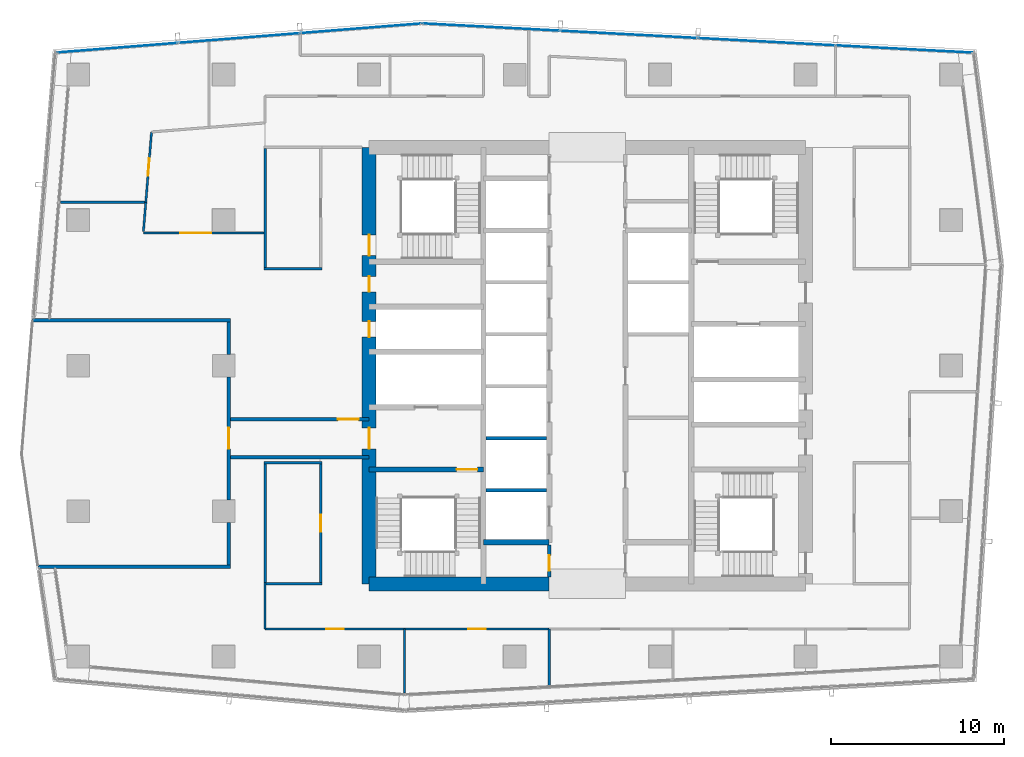
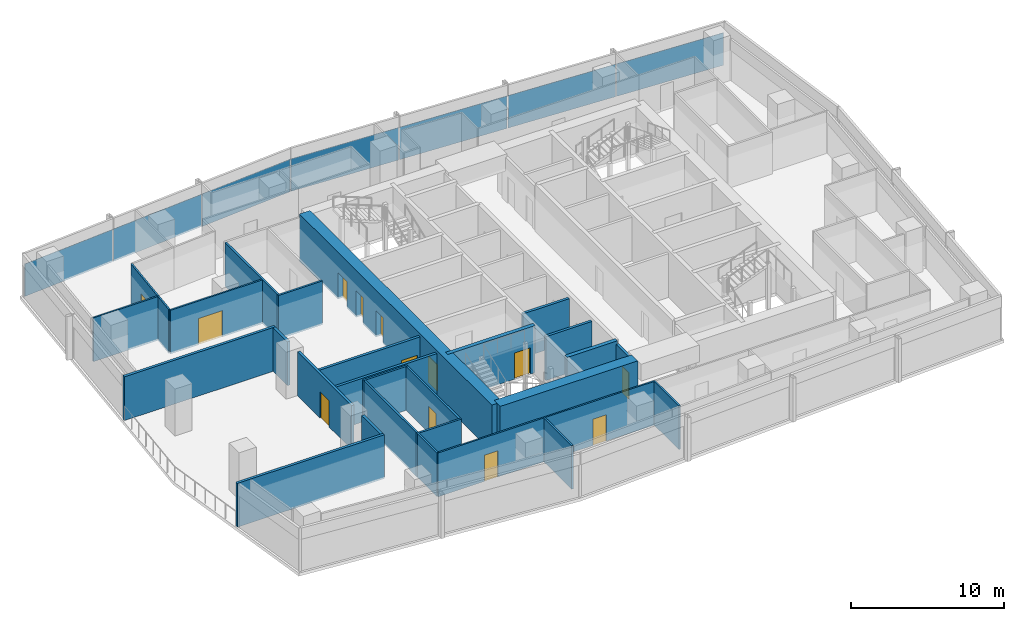
# One storey, part 20 of 28: 29 walls, 13 doors, 7 plates, 13 openings, 2 elements without a shape of their own.
"""IFC4 building model written with IfcOpenShell, lengths in metres."""

import ifcopenshell
import ifcopenshell.guid

model = None  # the IFC model being written
_history = None  # IfcOwnerHistory: only IFC2X3 demands one
_inside = {}  # id of a spatial element -> (the spatial element, [elements in it])
_under = {}  # id of a project, library or spatial element -> (it, [spatial elements below it])
_declared = {}  # id of a project -> (the project, [libraries it declares])
_typed = {}  # id of a type object -> (the type object, [elements of that type])
_made_of = {}  # id of a material, layer set ... -> (it, [elements and type objects made of it])


def new_model(schema):
    """Start an empty IFC model of exactly this schema.

    Asked for "IFC4X3", IfcOpenShell would pick the latest addendum, in which some entities
    have other attributes; the version numbers below select the first issue.
    IFC2X3 requires an IfcOwnerHistory on every rooted entity: one is made here for all.
    """
    global model, _history
    if schema == "IFC4X3":
        model = ifcopenshell.file(schema_version=(4, 3, 0, 0))
    else:
        model = ifcopenshell.file(schema=schema)
    _inside.clear()
    _under.clear()
    _declared.clear()
    _typed.clear()
    _made_of.clear()
    _history = None
    if model.schema == "IFC2X3":
        org = make("IfcOrganization", Name="unknown")
        user = make(
            "IfcPersonAndOrganization",
            ThePerson=make("IfcPerson", FamilyName="unknown"),
            TheOrganization=org,
        )
        app = make(
            "IfcApplication",
            ApplicationDeveloper=org,
            Version="unknown",
            ApplicationFullName="unknown",
            ApplicationIdentifier="unknown",
        )
        _history = make(
            "IfcOwnerHistory",
            OwningUser=user,
            OwningApplication=app,
            ChangeAction="ADDED",
            CreationDate=0,
        )
    return model


def make(cls, **values):
    """One entity of the class cls with the attributes given. An attribute that is None is left unset."""
    return model.create_entity(
        cls, **{name: value for name, value in values.items() if value is not None}
    )


def rooted(cls, **values):
    """An entity with a GlobalId (a new one), such as an element, a storey or a relation."""
    return make(cls, GlobalId=ifcopenshell.guid.new(), OwnerHistory=_history, **values)


def si_unit(unit_type, name, prefix=None):
    """IfcSIUnit, for example si_unit("LENGTHUNIT", "METRE", prefix="MILLI")."""
    return make("IfcSIUnit", UnitType=unit_type, Prefix=prefix, Name=name)


def assignment(units):
    """IfcUnitAssignment: the units of a project."""
    return None if units is None else make("IfcUnitAssignment", Units=units)


def point(xyz):
    """IfcCartesianPoint."""
    return None if xyz is None else make("IfcCartesianPoint", Coordinates=xyz)


def direction(xyz):
    """IfcDirection."""
    return None if xyz is None else make("IfcDirection", DirectionRatios=xyz)


def frame(location, z_axis=None, x_axis=None):
    """IfcAxis2Placement3D, a coordinate frame: its origin and axes. An axis left out is left unset."""
    return make(
        "IfcAxis2Placement3D",
        Location=point(location),
        Axis=direction(z_axis),
        RefDirection=direction(x_axis),
    )


def frame_2d(location, x_axis=None):
    """IfcAxis2Placement2D, a coordinate frame in the plane: its origin and x axis."""
    return make(
        "IfcAxis2Placement2D", Location=point(location), RefDirection=direction(x_axis)
    )


def origin():
    """The frame at (0, 0, 0) with its axes left unset."""
    return frame((0.0, 0.0, 0.0))


def origin_2d():
    """The frame at (0, 0) in the plane with its x axis left unset."""
    return frame_2d((0.0, 0.0))


def place(relative_to, where):
    """IfcLocalPlacement: puts the frame where relative to a parent placement (None: the world)."""
    return make(
        "IfcLocalPlacement", PlacementRelTo=relative_to, RelativePlacement=where
    )


def context(
    kind, dimensions, precision=None, world=None, true_north=None, identifier=None
):
    """IfcGeometricRepresentationContext, for example the 3D "Model" context."""
    return make(
        "IfcGeometricRepresentationContext",
        ContextIdentifier=identifier,
        ContextType=kind,
        CoordinateSpaceDimension=dimensions,
        Precision=precision,
        WorldCoordinateSystem=world,
        TrueNorth=true_north,
    )


def subcontext(parent, identifier, kind, view, scale=None):
    """IfcGeometricRepresentationSubContext, for example "Body" below "Model"."""
    return make(
        "IfcGeometricRepresentationSubContext",
        ContextIdentifier=identifier,
        ContextType=kind,
        ParentContext=parent,
        TargetScale=scale,
        TargetView=view,
    )


def project(units=None, contexts=None):
    """IfcProject with its units and contexts."""
    return rooted(
        "IfcProject",
        Name="project",
        RepresentationContexts=contexts,
        UnitsInContext=assignment(units),
    )


def spatial(cls, under=None, at=None, **own):
    """A site, building, storey or space (cls), placed at a placement, below another one or the project."""
    s = rooted(cls, ObjectPlacement=at, **own)
    if under is not None:
        _under.setdefault(under.id(), (under, []))[1].append(s)
    return s


def profile(cls, at=None, kind="AREA", **sizes):
    """A parametric profile (cls). Its sizes go by their IFC names, for example OverallWidth=200.0."""
    return make(cls, ProfileType=kind, Position=at, **sizes)


def rectangle(**sizes):
    """IfcRectangleProfileDef."""
    return profile("IfcRectangleProfileDef", **sizes)


def extrude(swept, where, along, depth):
    """IfcExtrudedAreaSolid: the profile swept, set in the frame where, extruded along a direction by depth."""
    return make(
        "IfcExtrudedAreaSolid",
        SweptArea=swept,
        Position=where,
        ExtrudedDirection=direction(along),
        Depth=depth,
    )


def shape(context_of_items, identifier, shape_type, items):
    """IfcShapeRepresentation: the items that make up one representation, for example the "Body"."""
    return make(
        "IfcShapeRepresentation",
        ContextOfItems=context_of_items,
        RepresentationIdentifier=identifier,
        RepresentationType=shape_type,
        Items=items,
    )


def material(Name=None, Category=None):
    """IfcMaterial."""
    return make("IfcMaterial", Name=Name, Category=Category)


def layer(
    of_material, thickness, ventilated=None, Name=None, Category=None, Priority=None
):
    """IfcMaterialLayer: one layer of a wall or slab, of a material (None: an air gap)."""
    return make(
        "IfcMaterialLayer",
        Material=of_material,
        LayerThickness=thickness,
        IsVentilated=ventilated,
        Name=Name,
        Category=Category,
        Priority=Priority,
    )


def layer_set(layers, Name=None):
    """IfcMaterialLayerSet."""
    return make("IfcMaterialLayerSet", MaterialLayers=layers, LayerSetName=Name)


def made_of(thing, what):
    """Note that an element or type object is made of a material, layer set ...; save() writes the relation."""
    if what is not None:
        _made_of.setdefault(what.id(), (what, []))[1].append(thing)
    return thing


def type_object(cls, material=None, **own):
    """A type object (cls), such as IfcWallType, which elements share."""
    return made_of(rooted(cls, **own), material)


def element(
    cls,
    number,
    at=None,
    inside=None,
    cuts=None,
    type_object=None,
    material=None,
    context=None,
    identifier="Body",
    shape_type=None,
    held_by="IfcProductDefinitionShape",
    body=None,
    shapes=None,
    **own,
):
    """One element of the class cls, such as IfcWall. Its Tag is "e" and its number.

    at: its placement. inside: the storey or other place that contains it. cuts: it is an
    opening in that element (IfcRelVoidsElement). A single representation is given by context,
    identifier, shape_type and body (its items); several are given by shapes. held_by: the class
    of the entity that holds the representations. save() writes the other relations.
    """
    e = rooted(cls, Tag="e%d" % number, ObjectPlacement=at, **own)
    if body is not None:
        shapes = [shape(context, identifier, shape_type, body)]
    if shapes is not None:
        e.Representation = make(held_by, Representations=shapes)
    if inside is not None:
        _inside.setdefault(inside.id(), (inside, []))[1].append(e)
    if cuts is not None:
        rooted(
            "IfcRelVoidsElement", RelatingBuildingElement=cuts, RelatedOpeningElement=e
        )
    if type_object is not None:
        _typed.setdefault(type_object.id(), (type_object, []))[1].append(e)
    return made_of(e, material)


def fill(opening, filler):
    """IfcRelFillsElement: the door or window that sits in an opening."""
    return rooted(
        "IfcRelFillsElement",
        RelatingOpeningElement=opening,
        RelatedBuildingElement=filler,
    )


def aggregate(whole, parts):
    """IfcRelAggregates: a whole, such as a stair, and the parts it consists of."""
    return rooted("IfcRelAggregates", RelatingObject=whole, RelatedObjects=parts)


def save(model, path):
    """Write the relations noted so far, then the file.

    IfcRelAggregates (storeys below a building ...), IfcRelContainedInSpatialStructure (elements
    in a storey), IfcRelDefinesByType, IfcRelAssociatesMaterial and IfcRelDeclares: one each for
    every whole, place, type object, material and project.
    """
    for whole, parts in _under.values():
        aggregate(whole, parts)
    for where, things in _inside.values():
        rooted(
            "IfcRelContainedInSpatialStructure",
            RelatedElements=things,
            RelatingStructure=where,
        )
    for kind, things in _typed.values():
        rooted("IfcRelDefinesByType", RelatedObjects=things, RelatingType=kind)
    for what, things in _made_of.values():
        rooted("IfcRelAssociatesMaterial", RelatedObjects=things, RelatingMaterial=what)
    for by, libraries in _declared.values():
        rooted("IfcRelDeclares", RelatingContext=by, RelatedDefinitions=libraries)
    model.write(path)


model = new_model("IFC4")

# Units and contexts
model_context = context("Model", 3, precision=1e-05, world=origin(), true_north=direction((0.0, 1.0)))
body_context = subcontext(model_context, "Body", "Model", "MODEL_VIEW")
ifc_project = project(units=[si_unit("LENGTHUNIT", "METRE"), si_unit("AREAUNIT", "SQUARE_METRE"), si_unit("VOLUMEUNIT", "CUBIC_METRE"), si_unit("PLANEANGLEUNIT", "RADIAN"), si_unit("MASSUNIT", "GRAM", prefix="KILO")], contexts=[model_context])

# Site, building, storey
site_placement = place(None, origin())
site = spatial("IfcSite", under=ifc_project, at=site_placement, CompositionType="ELEMENT")
building_placement = place(site_placement, origin())
building = spatial("IfcBuilding", under=site, at=building_placement, Name="Rekha Terrace Tower", CompositionType="ELEMENT")
storey_placement = place(building_placement, frame((0.0, 0.0, 268.85009765625)))
storey = spatial("IfcBuildingStorey", under=building, at=storey_placement, Name="L68", CompositionType="ELEMENT", Elevation=268.85009765625)

# Curtain wall, plates
ifc_material_1 = material(Name="Aluminium framing", Category="aluminium")
curtain_wall_type = type_object("IfcCurtainWallType", Name="CW3 north unitised glazing", PredefinedType="USERDEFINED", material=ifc_material_1)
curtain_wall_1_placement = place(storey_placement, origin())
curtain_wall_1 = element("IfcCurtainWall", 1, at=curtain_wall_1_placement, inside=storey, type_object=curtain_wall_type, Name="CW3 unitised curtain wall", ObjectType="UNITISED CURTAIN WALL", PredefinedType="USERDEFINED")
ifc_material_2 = material(Name="Double-glazed unit 28", Category="glass")
ifc_layer_1 = layer(ifc_material_2, 0.028076171875)
ifc_layer_set_1 = layer_set([ifc_layer_1], Name="Double-glazed unit 28")
plate_type = type_object("IfcPlateType", Name="CW3 jumbo vision panel, double-glazed unit 28", PredefinedType="CURTAIN_PANEL", material=ifc_layer_set_1)
plate_1_placement = place(storey_placement, frame((56.080322265625, 51.871337890625, -0.000244140625), z_axis=(0.0, 0.0, 1.0), x_axis=(-0.998590089005, 0.053083275524, 0.0)))
plate_1 = element("IfcPlate", 2, at=plate_1_placement, type_object=plate_type, Name="CW3 panel 1.1", PredefinedType="CURTAIN_PANEL", context=body_context, shape_type="SweptSolid", body=[
    extrude(rectangle(XDim=7.856201171875, YDim=0.028076171875, at=origin_2d()), origin(), (0.0, 0.0, 1.0), 2.60009765625),
])
plate_2_placement = place(storey_placement, frame((48.14794921875, 52.29296875, -0.000244140625), z_axis=(0.0, 0.0, 1.0), x_axis=(-0.998590089005, 0.053083275524, 0.0)))
plate_2 = element("IfcPlate", 3, at=plate_2_placement, type_object=plate_type, Name="CW3 panel 2.1", PredefinedType="CURTAIN_PANEL", context=body_context, shape_type="SweptSolid", body=[
    extrude(rectangle(XDim=7.891357421875, YDim=0.028076171875, at=origin_2d()), origin(), (0.0, 0.0, 1.0), 2.60009765625),
])
plate_3_placement = place(storey_placement, frame((40.19775390625, 52.715576171875, -0.000244140625), z_axis=(0.0, 0.0, 1.0), x_axis=(-0.998590089005, 0.053083275524, 0.0)))
plate_3 = element("IfcPlate", 4, at=plate_3_placement, type_object=plate_type, Name="CW3 panel 3.1", PredefinedType="CURTAIN_PANEL", context=body_context, shape_type="SweptSolid", body=[
    extrude(rectangle(XDim=7.891357421875, YDim=0.028076171875, at=origin_2d()), origin(), (0.0, 0.0, 1.0), 2.60009765625),
])
plate_4_placement = place(storey_placement, frame((32.230224609375, 53.13916015625, -0.000244140625), z_axis=(0.0, 0.0, 1.0), x_axis=(-0.998590089005, 0.053083275524, 0.0)))
plate_4 = element("IfcPlate", 5, at=plate_4_placement, type_object=plate_type, Name="CW3 panel 4.1", PredefinedType="CURTAIN_PANEL", context=body_context, shape_type="SweptSolid", body=[
    extrude(rectangle(XDim=7.92626953125, YDim=0.028076171875, at=origin_2d()), origin(), (0.0, 0.0, 1.0), 2.60009765625),
])
aggregate(curtain_wall_1, [plate_1, plate_2, plate_3, plate_4])

curtain_wall_2_placement = place(storey_placement, origin())
curtain_wall_2 = element("IfcCurtainWall", 6, at=curtain_wall_2_placement, inside=storey, type_object=curtain_wall_type, Name="CW3 unitised curtain wall", ObjectType="UNITISED CURTAIN WALL", PredefinedType="USERDEFINED")
plate_5_placement = place(storey_placement, frame((24.732421875, 53.0673828125, -0.000244140625), z_axis=(0.0, 0.0, 1.0), x_axis=(-0.996836058026, -0.07948505154, 0.0)))
plate_5 = element("IfcPlate", 7, at=plate_5_placement, type_object=plate_type, Name="CW3 panel 1.1", PredefinedType="CURTAIN_PANEL", context=body_context, shape_type="SweptSolid", body=[
    extrude(rectangle(XDim=6.963134765625, YDim=0.028076171875, at=origin_2d()), origin(), (0.0, 0.0, 1.0), 2.60009765625),
])
plate_6_placement = place(storey_placement, frame((17.7041015625, 52.5068359375, -0.000244140625), z_axis=(0.0, 0.0, 1.0), x_axis=(-0.996836058026, -0.07948505154, 0.0)))
plate_6 = element("IfcPlate", 8, at=plate_6_placement, type_object=plate_type, Name="CW3 panel 2.1", PredefinedType="CURTAIN_PANEL", context=body_context, shape_type="SweptSolid", body=[
    extrude(rectangle(XDim=6.998046875, YDim=0.028076171875, at=origin_2d()), origin(), (0.0, 0.0, 1.0), 2.60009765625),
])
plate_7_placement = place(storey_placement, frame((10.67578125, 51.946533203125, -0.000244140625), z_axis=(0.0, 0.0, 1.0), x_axis=(-0.996836058026, -0.07948505154, 0.0)))
plate_7 = element("IfcPlate", 9, at=plate_7_placement, type_object=plate_type, Name="CW3 panel 3.1", PredefinedType="CURTAIN_PANEL", context=body_context, shape_type="SweptSolid", body=[
    extrude(rectangle(XDim=6.963134765625, YDim=0.028076171875, at=origin_2d()), origin(), (0.0, 0.0, 1.0), 2.60009765625),
])
aggregate(curtain_wall_2, [plate_5, plate_6, plate_7])

# Wall
ifc_material_3 = material(Name="Concrete M60", Category="concrete")
ifc_layer_2 = layer(ifc_material_3, 0.300048828125)
ifc_layer_set_2 = layer_set([ifc_layer_2], Name="Concrete M60")
wall_type_1 = type_object("IfcWallType", Name="CI5 300 core internal shear wall", PredefinedType="SHEAR", material=ifc_layer_set_2)
wall_1_placement = place(storey_placement, frame((31.800048828125, 23.39990234375, 0.0), z_axis=(0.0, 0.0, 1.0), x_axis=(1.0, 0.0, 0.0)))
element("IfcWall", 10, at=wall_1_placement, inside=storey, type_object=wall_type_1, Name="Core wall Y234W L68", PredefinedType="SHEAR", context=body_context, shape_type="SweptSolid", body=[
    extrude(rectangle(XDim=3.800048828125, YDim=0.300048828125, at=frame_2d((1.89990234375, 0.0))), origin(), (0.0, 0.0, 1.0), 3.75),
])

# Wall, opening, door
wall_2_placement = place(storey_placement, frame((25.199951171875, 27.60009765625, 0.0), z_axis=(0.0, 0.0, 1.0), x_axis=(1.0, 0.0, 0.0)))
wall_2 = element("IfcWall", 11, at=wall_2_placement, inside=storey, type_object=wall_type_1, Name="Core wall Y276W L68", PredefinedType="SHEAR", context=body_context, shape_type="SweptSolid", body=[
    extrude(rectangle(XDim=6.60009765625, YDim=0.300048828125, at=frame_2d((3.300048828125, 0.0))), origin(), (0.0, 0.0, 1.0), 3.75),
])
opening_1_placement = place(wall_2_placement, frame((5.050048828125, 0.0, 0.0)))
opening_1 = element("IfcOpeningElement", 12, at=opening_1_placement, cuts=wall_2, Name="Opening D1", PredefinedType="OPENING", context=body_context, shape_type="SweptSolid", body=[
    extrude(rectangle(XDim=1.199951171875, YDim=2.10009765625, at=frame_2d((0.60009765625, 1.050048828125))), frame((0.0, 0.159912109375, 0.0), z_axis=(0.0, -1.0, 0.0), x_axis=(1.0, 0.0, 0.0)), (0.0, 0.0, 1.0), 0.320068359375),
])
ifc_material_4 = material(Name="Steel fire door", Category="steel")
door_type_1 = type_object("IfcDoorType", Name="D1 1200x2100 stair fire door", OperationType="SINGLE_SWING_RIGHT", PredefinedType="DOOR", material=ifc_material_4)
door_1_placement = place(opening_1_placement, origin())
door_1 = element("IfcDoor", 13, at=door_1_placement, inside=storey, type_object=door_type_1, Name="Stair ST1 door L68", OperationType="SINGLE_SWING_RIGHT", OverallHeight=2.10009765625, OverallWidth=1.199951171875, PredefinedType="DOOR", context=body_context, shape_type="SweptSolid", body=[
    extrude(rectangle(XDim=1.199951171875, YDim=2.10009765625, at=frame_2d((0.60009765625, 1.050048828125))), frame((0.0, 0.02490234375, 0.0), z_axis=(0.0, -1.0, 0.0), x_axis=(1.0, 0.0, 0.0)), (0.0, 0.0, 1.0), 0.050048828125),
])
fill(opening_1, door_1)

# Wall
ifc_layer_3 = layer(ifc_material_3, 0.800048828125)
ifc_layer_set_3 = layer_set([ifc_layer_3], Name="Concrete M60")
wall_type_2 = type_object("IfcWallType", Name="SW5 800 core outer shear wall", PredefinedType="SHEAR", material=ifc_layer_set_3)
wall_3_placement = place(storey_placement, frame((25.199951171875, 21.0, 0.0), z_axis=(0.0, 0.0, 1.0), x_axis=(1.0, 0.0, 0.0)))
element("IfcWall", 14, at=wall_3_placement, inside=storey, type_object=wall_type_2, Name="Core wall S1 L68", PredefinedType="SHEAR", context=body_context, shape_type="SweptSolid", body=[
    extrude(rectangle(XDim=10.400146484375, YDim=0.800048828125, at=frame_2d((5.2001953125, 0.0))), origin(), (0.0, 0.0, 1.0), 3.75),
])

# Wall, openings, doors
wall_4_placement = place(storey_placement, frame((25.199951171875, 21.0, 0.0), z_axis=(0.0, 0.0, 1.0), x_axis=(0.0, 1.0, 0.0)))
wall_4 = element("IfcWall", 15, at=wall_4_placement, inside=storey, type_object=wall_type_2, Name="Core wall W L68", PredefinedType="SHEAR", context=body_context, shape_type="SweptSolid", body=[
    extrude(rectangle(XDim=25.199951171875, YDim=0.800048828125, at=frame_2d((12.60009765625, 0.0))), origin(), (0.0, 0.0, 1.0), 3.75),
])
opening_2_placement = place(wall_4_placement, frame((7.800048828125, 0.0, 0.0)))
opening_2 = element("IfcOpeningElement", 16, at=opening_2_placement, cuts=wall_4, Name="Opening D2", PredefinedType="OPENING", context=body_context, shape_type="SweptSolid", body=[
    extrude(rectangle(XDim=1.199951171875, YDim=2.10009765625, at=frame_2d((0.60009765625, 1.050048828125))), frame((0.0, 0.409912109375, 0.0), z_axis=(0.0, -1.0, 0.0), x_axis=(1.0, 0.0, 0.0)), (0.0, 0.0, 1.0), 0.820068359375),
])
opening_3_placement = place(wall_4_placement, frame((14.25, 0.0, 0.0)))
opening_3 = element("IfcOpeningElement", 17, at=opening_3_placement, cuts=wall_4, Name="Opening D5", PredefinedType="OPENING", context=body_context, shape_type="SweptSolid", body=[
    extrude(rectangle(XDim=0.89990234375, YDim=2.10009765625, at=frame_2d((0.449951171875, 1.050048828125))), frame((0.0, 0.409912109375, 0.0), z_axis=(0.0, -1.0, 0.0), x_axis=(1.0, 0.0, 0.0)), (0.0, 0.0, 1.0), 0.820068359375),
])
opening_4_placement = place(wall_4_placement, frame((16.85009765625, 0.0, 0.0)))
opening_4 = element("IfcOpeningElement", 18, at=opening_4_placement, cuts=wall_4, Name="Opening D5", PredefinedType="OPENING", context=body_context, shape_type="SweptSolid", body=[
    extrude(rectangle(XDim=0.89990234375, YDim=2.10009765625, at=frame_2d((0.449951171875, 1.050048828125))), frame((0.0, 0.409912109375, 0.0), z_axis=(0.0, -1.0, 0.0), x_axis=(1.0, 0.0, 0.0)), (0.0, 0.0, 1.0), 0.820068359375),
])
opening_5_placement = place(wall_4_placement, frame((18.949951171875, 0.0, 0.0)))
opening_5 = element("IfcOpeningElement", 19, at=opening_5_placement, cuts=wall_4, Name="Opening D1", PredefinedType="OPENING", context=body_context, shape_type="SweptSolid", body=[
    extrude(rectangle(XDim=1.199951171875, YDim=2.10009765625, at=frame_2d((0.60009765625, 1.050048828125))), frame((0.0, 0.409912109375, 0.0), z_axis=(0.0, -1.0, 0.0), x_axis=(1.0, 0.0, 0.0)), (0.0, 0.0, 1.0), 0.820068359375),
])
door_2_placement = place(opening_5_placement, origin())
door_2 = element("IfcDoor", 20, at=door_2_placement, inside=storey, type_object=door_type_1, Name="Stair ST4 door L68", OperationType="SINGLE_SWING_RIGHT", OverallHeight=2.10009765625, OverallWidth=1.199951171875, PredefinedType="DOOR", context=body_context, shape_type="SweptSolid", body=[
    extrude(rectangle(XDim=1.199951171875, YDim=2.10009765625, at=frame_2d((0.60009765625, 1.050048828125))), frame((0.0, 0.02490234375, 0.0), z_axis=(0.0, -1.0, 0.0), x_axis=(1.0, 0.0, 0.0)), (0.0, 0.0, 1.0), 0.050048828125),
])
fill(opening_5, door_2)
door_type_2 = type_object("IfcDoorType", Name="D2 1200x2100 firefighting lobby door", OperationType="SINGLE_SWING_LEFT", PredefinedType="DOOR", material=ifc_material_4)
door_3_placement = place(opening_2_placement, origin())
door_3 = element("IfcDoor", 21, at=door_3_placement, inside=storey, type_object=door_type_2, Name="Door flb1 L68", OperationType="SINGLE_SWING_LEFT", OverallHeight=2.10009765625, OverallWidth=1.199951171875, PredefinedType="DOOR", context=body_context, shape_type="SweptSolid", body=[
    extrude(rectangle(XDim=1.199951171875, YDim=2.10009765625, at=frame_2d((0.60009765625, 1.050048828125))), frame((0.0, 0.02490234375, 0.0), z_axis=(0.0, -1.0, 0.0), x_axis=(1.0, 0.0, 0.0)), (0.0, 0.0, 1.0), 0.050048828125),
])
fill(opening_2, door_3)
door_type_3 = type_object("IfcDoorType", Name="D5 900x2100 riser access door", OperationType="SINGLE_SWING_LEFT", PredefinedType="DOOR", material=ifc_material_4)
door_4_placement = place(opening_3_placement, origin())
door_4 = element("IfcDoor", 22, at=door_4_placement, inside=storey, type_object=door_type_3, Name="Door rs1 L68", OperationType="SINGLE_SWING_LEFT", OverallHeight=2.10009765625, OverallWidth=0.89990234375, PredefinedType="DOOR", context=body_context, shape_type="SweptSolid", body=[
    extrude(rectangle(XDim=0.89990234375, YDim=2.10009765625, at=frame_2d((0.449951171875, 1.050048828125))), frame((0.0, 0.02490234375, 0.0), z_axis=(0.0, -1.0, 0.0), x_axis=(1.0, 0.0, 0.0)), (0.0, 0.0, 1.0), 0.050048828125),
])
fill(opening_3, door_4)
door_5_placement = place(opening_4_placement, origin())
door_5 = element("IfcDoor", 23, at=door_5_placement, inside=storey, type_object=door_type_3, Name="Door elw L68", OperationType="SINGLE_SWING_LEFT", OverallHeight=2.10009765625, OverallWidth=0.89990234375, PredefinedType="DOOR", context=body_context, shape_type="SweptSolid", body=[
    extrude(rectangle(XDim=0.89990234375, YDim=2.10009765625, at=frame_2d((0.449951171875, 1.050048828125))), frame((0.0, 0.02490234375, 0.0), z_axis=(0.0, -1.0, 0.0), x_axis=(1.0, 0.0, 0.0)), (0.0, 0.0, 1.0), 0.050048828125),
])
fill(opening_4, door_5)

# Walls
ifc_material_5 = material(Name="Concrete block masonry, 1 hour", Category="masonry")
ifc_layer_4 = layer(ifc_material_5, 0.14990234375)
ifc_layer_set_4 = layer_set([ifc_layer_4], Name="Concrete block masonry, 1 hour")
wall_type_3 = type_object("IfcWallType", Name="WP2 150 tenancy partition", PredefinedType="PARTITIONING", material=ifc_layer_set_4)
wall_5_placement = place(storey_placement, frame((19.125, 39.199951171875, 0.0), z_axis=(0.0, 0.0, 1.0), x_axis=(1.0, 0.0, 0.0)))
element("IfcWall", 24, at=wall_5_placement, inside=storey, type_object=wall_type_3, Name="Women's WC wall L68", PredefinedType="PARTITIONING", context=body_context, shape_type="SweptSolid", body=[
    extrude(rectangle(XDim=3.35009765625, YDim=0.14990234375, at=frame_2d((1.675048828125, 0.0))), origin(), (0.0, 0.0, 1.0), 3.5),
])
wall_6_placement = place(storey_placement, frame((19.199951171875, 39.27490234375, 0.0), z_axis=(0.0, 0.0, 1.0), x_axis=(0.0, 1.0, 0.0)))
element("IfcWall", 25, at=wall_6_placement, inside=storey, type_object=wall_type_3, Name="Women's WC wall L68", PredefinedType="PARTITIONING", context=body_context, shape_type="SweptSolid", body=[
    extrude(rectangle(XDim=6.85009765625, YDim=0.14990234375, at=frame_2d((3.425048828125, 0.0))), origin(), (0.0, 0.0, 1.0), 3.5),
])
for number, where, z_axis, x_axis, name in (
    (26, (19.125, 21.0, 0.0), (0.0, 0.0, 1.0), (1.0, 0.0, 0.0), "Men's WC wall L68"),
    (27, (19.125, 28.0, 0.0), (0.0, 0.0, 1.0), (1.0, 0.0, 0.0), "Men's WC wall L68"),
):
    element("IfcWall", number, at=place(storey_placement, frame(where, z_axis=z_axis, x_axis=x_axis)), inside=storey, type_object=wall_type_3, Name=name, PredefinedType="PARTITIONING", context=body_context, shape_type="SweptSolid", body=[
        extrude(rectangle(XDim=3.35009765625, YDim=0.14990234375, at=frame_2d((1.675048828125, 0.0))), origin(), (0.0, 0.0, 1.0), 3.5),
    ])
wall_7_placement = place(storey_placement, frame((19.199951171875, 21.074951171875, 0.0), z_axis=(0.0, 0.0, 1.0), x_axis=(0.0, 1.0, 0.0)))
element("IfcWall", 28, at=wall_7_placement, inside=storey, type_object=wall_type_3, Name="Men's WC wall L68", PredefinedType="PARTITIONING", context=body_context, shape_type="SweptSolid", body=[
    extrude(rectangle(XDim=6.85009765625, YDim=0.14990234375, at=frame_2d((3.425048828125, 0.0))), origin(), (0.0, 0.0, 1.0), 3.5),
])

# Wall, opening, door
wall_8_placement = place(storey_placement, frame((22.39990234375, 21.074951171875, 0.0), z_axis=(0.0, 0.0, 1.0), x_axis=(0.0, 1.0, 0.0)))
wall_8 = element("IfcWall", 29, at=wall_8_placement, inside=storey, type_object=wall_type_3, Name="Men's WC wall L68", PredefinedType="PARTITIONING", context=body_context, shape_type="SweptSolid", body=[
    extrude(rectangle(XDim=6.85009765625, YDim=0.14990234375, at=frame_2d((3.425048828125, 0.0))), origin(), (0.0, 0.0, 1.0), 3.5),
])
opening_6_placement = place(wall_8_placement, frame((2.925048828125, 0.0, 0.0)))
opening_6 = element("IfcOpeningElement", 30, at=opening_6_placement, cuts=wall_8, Name="Opening D3", PredefinedType="OPENING", context=body_context, shape_type="SweptSolid", body=[
    extrude(rectangle(XDim=1.0, YDim=2.10009765625, at=frame_2d((0.5, 1.050048828125))), frame((0.0, 0.0849609375, 0.0), z_axis=(0.0, -1.0, 0.0), x_axis=(1.0, 0.0, 0.0)), (0.0, 0.0, 1.0), 0.169921875),
])
ifc_material_6 = material(Name="Laminated timber fire door", Category="wood")
door_type_4 = type_object("IfcDoorType", Name="D3 1000x2100 WC door", OperationType="SINGLE_SWING_LEFT", PredefinedType="DOOR", material=ifc_material_6)
door_6_placement = place(opening_6_placement, origin())
door_6 = element("IfcDoor", 31, at=door_6_placement, inside=storey, type_object=door_type_4, Name="Door men's wc L68", OperationType="SINGLE_SWING_LEFT", OverallHeight=2.10009765625, OverallWidth=1.0, PredefinedType="DOOR", context=body_context, shape_type="SweptSolid", body=[
    extrude(rectangle(XDim=1.0, YDim=2.10009765625, at=frame_2d((0.5, 1.050048828125))), frame((0.0, 0.02490234375, 0.0), z_axis=(0.0, -1.0, 0.0), x_axis=(1.0, 0.0, 0.0)), (0.0, 0.0, 1.0), 0.050048828125),
])
fill(opening_6, door_6)

# Walls
ifc_material_7 = material(Name="Two layers of fire-rated gypsum board each side on steel studs, acoustic quilt, 1 hour", Category="steel")
ifc_layer_5 = layer(ifc_material_7, 0.125)
ifc_layer_set_5 = layer_set([ifc_layer_5], Name="Two layers of fire-rated gypsum board each side on steel studs, acoustic quilt, 1 hour")
wall_type_4 = type_object("IfcWallType", Name="WP3 125 office partition", PredefinedType="PARTITIONING", material=ifc_layer_set_5)
wall_9_placement = place(storey_placement, frame((35.59912109375, 15.118896484375, 0.0), z_axis=(0.0, 0.0, 1.0), x_axis=(0.0, 1.0, 0.0)))
element("IfcWall", 32, at=wall_9_placement, inside=storey, type_object=wall_type_4, Name="Partition L68-02", PredefinedType="PARTITIONING", context=body_context, shape_type="SweptSolid", body=[
    extrude(rectangle(XDim=3.281005859375, YDim=0.125, at=frame_2d((1.640625, 0.0))), origin(), (0.0, 0.0, 1.0), 3.5),
])
wall_10_placement = place(storey_placement, frame((19.199951171875, 21.074951171875, 0.0), z_axis=(0.0, 0.0, 1.0), x_axis=(0.0, -1.0, 0.0)))
element("IfcWall", 33, at=wall_10_placement, inside=storey, type_object=wall_type_4, Name="Partition L68-06", PredefinedType="PARTITIONING", context=body_context, shape_type="SweptSolid", body=[
    extrude(rectangle(XDim=2.675048828125, YDim=0.125, at=frame_2d((1.33740234375, 0.0))), origin(), (0.0, 0.0, 1.0), 3.5),
])

# Wall, opening, door
wall_11_placement = place(storey_placement, frame((19.199951171875, 18.39990234375, 0.0), z_axis=(0.0, 0.0, 1.0), x_axis=(1.0, 0.0, 0.0)))
wall_11 = element("IfcWall", 34, at=wall_11_placement, inside=storey, type_object=wall_type_4, Name="Partition L68-06", PredefinedType="PARTITIONING", context=body_context, shape_type="SweptSolid", body=[
    extrude(rectangle(XDim=8.053955078125, YDim=0.125, at=frame_2d((4.02685546875, 0.0))), origin(), (0.0, 0.0, 1.0), 3.5),
])
opening_7_placement = place(wall_11_placement, frame((3.527099609375, 0.0, 0.0)))
opening_7 = element("IfcOpeningElement", 35, at=opening_7_placement, cuts=wall_11, Name="Opening D9", PredefinedType="OPENING", context=body_context, shape_type="SweptSolid", body=[
    extrude(rectangle(XDim=1.0, YDim=2.10009765625, at=frame_2d((0.5, 1.050048828125))), frame((0.0, 0.072509765625, 0.0), z_axis=(0.0, -1.0, 0.0), x_axis=(1.0, 0.0, 0.0)), (0.0, 0.0, 1.0), 0.14501953125),
])
ifc_material_8 = material(Name="Timber fire door", Category="wood")
door_type_5 = type_object("IfcDoorType", Name="D9 1000x2100 office door", OperationType="SINGLE_SWING_LEFT", PredefinedType="DOOR", material=ifc_material_8)
door_7_placement = place(opening_7_placement, origin())
door_7 = element("IfcDoor", 36, at=door_7_placement, inside=storey, type_object=door_type_5, Name="Door director's office L68", OperationType="SINGLE_SWING_LEFT", OverallHeight=2.10009765625, OverallWidth=1.0, PredefinedType="DOOR", context=body_context, shape_type="SweptSolid", body=[
    extrude(rectangle(XDim=1.0, YDim=2.10009765625, at=frame_2d((0.5, 1.050048828125))), frame((0.0, 0.02490234375, 0.0), z_axis=(0.0, -1.0, 0.0), x_axis=(1.0, 0.0, 0.0)), (0.0, 0.0, 1.0), 0.050048828125),
])
fill(opening_7, door_7)

# Wall
wall_12_placement = place(storey_placement, frame((27.25390625, 18.39990234375, 0.0), z_axis=(0.0, 0.0, 1.0), x_axis=(0.0, -1.0, 0.0)))
element("IfcWall", 37, at=wall_12_placement, inside=storey, type_object=wall_type_4, Name="Partition L68-06", PredefinedType="PARTITIONING", context=body_context, shape_type="SweptSolid", body=[
    extrude(rectangle(XDim=3.704833984375, YDim=0.125, at=frame_2d((1.8525390625, 0.0))), origin(), (0.0, 0.0, 1.0), 3.5),
])

# Wall, opening, door
wall_13_placement = place(storey_placement, frame((27.2548828125, 18.39990234375, 0.0), z_axis=(0.0, 0.0, 1.0), x_axis=(1.0, 0.0, 0.0)))
wall_13 = element("IfcWall", 38, at=wall_13_placement, inside=storey, type_object=wall_type_4, Name="Partition L68-07", PredefinedType="PARTITIONING", context=body_context, shape_type="SweptSolid", body=[
    extrude(rectangle(XDim=8.343017578125, YDim=0.125, at=frame_2d((4.17138671875, 0.0))), origin(), (0.0, 0.0, 1.0), 3.5),
])
opening_8_placement = place(wall_13_placement, frame((3.6708984375, 0.0, 0.0)))
opening_8 = element("IfcOpeningElement", 39, at=opening_8_placement, cuts=wall_13, Name="Opening D9", PredefinedType="OPENING", context=body_context, shape_type="SweptSolid", body=[
    extrude(rectangle(XDim=1.0, YDim=2.10009765625, at=frame_2d((0.5, 1.050048828125))), frame((0.0, 0.072509765625, 0.0), z_axis=(0.0, -1.0, 0.0), x_axis=(1.0, 0.0, 0.0)), (0.0, 0.0, 1.0), 0.14501953125),
])
door_8_placement = place(opening_8_placement, origin())
door_8 = element("IfcDoor", 40, at=door_8_placement, inside=storey, type_object=door_type_5, Name="Door wellness room L68", OperationType="SINGLE_SWING_LEFT", OverallHeight=2.10009765625, OverallWidth=1.0, PredefinedType="DOOR", context=body_context, shape_type="SweptSolid", body=[
    extrude(rectangle(XDim=1.0, YDim=2.10009765625, at=frame_2d((0.5, 1.050048828125))), frame((0.0, 0.02490234375, 0.0), z_axis=(0.0, -1.0, 0.0), x_axis=(1.0, 0.0, 0.0)), (0.0, 0.0, 1.0), 0.050048828125),
])
fill(opening_8, door_8)

# Wall
wall_14_placement = place(storey_placement, frame((12.31201171875, 43.027099609375, 0.0), z_axis=(0.0, 0.0, 1.0), x_axis=(-1.0, 0.0, 0.0)))
element("IfcWall", 41, at=wall_14_placement, inside=storey, type_object=wall_type_4, Name="Partition L68-11", PredefinedType="PARTITIONING", context=body_context, shape_type="SweptSolid", body=[
    extrude(rectangle(XDim=4.93603515625, YDim=0.125, at=frame_2d((2.468017578125, 0.0))), origin(), (0.0, 0.0, 1.0), 3.5),
])

# Wall, opening, door
wall_15_placement = place(storey_placement, frame((12.64306640625, 47.0869140625, 0.0), z_axis=(0.0, 0.0, 1.0), x_axis=(-0.08127452151, -0.99669175383, 0.0)))
wall_15 = element("IfcWall", 42, at=wall_15_placement, inside=storey, type_object=wall_type_4, Name="Partition L68-11", PredefinedType="PARTITIONING", context=body_context, shape_type="SweptSolid", body=[
    extrude(rectangle(XDim=4.0732421875, YDim=0.125, at=frame_2d((2.03662109375, 0.0))), origin(), (0.0, 0.0, 1.0), 3.5),
])
opening_9_placement = place(wall_15_placement, frame((1.537109375, 0.0, 0.0)))
opening_9 = element("IfcOpeningElement", 43, at=opening_9_placement, cuts=wall_15, Name="Opening D9", PredefinedType="OPENING", context=body_context, shape_type="SweptSolid", body=[
    extrude(rectangle(XDim=1.0, YDim=2.10009765625, at=frame_2d((0.5, 1.050048828125))), frame((0.0, 0.072509765625, 0.0), z_axis=(0.0, -1.0, 0.0), x_axis=(1.0, 0.0, 0.0)), (0.0, 0.0, 1.0), 0.14501953125),
])
door_9_placement = place(opening_9_placement, origin())
door_9 = element("IfcDoor", 44, at=door_9_placement, inside=storey, type_object=door_type_5, Name="Door director's office L68", OperationType="SINGLE_SWING_LEFT", OverallHeight=2.10009765625, OverallWidth=1.0, PredefinedType="DOOR", context=body_context, shape_type="SweptSolid", body=[
    extrude(rectangle(XDim=1.0, YDim=2.10009765625, at=frame_2d((0.5, 1.050048828125))), frame((0.0, 0.02490234375, 0.0), z_axis=(0.0, -1.0, 0.0), x_axis=(1.0, 0.0, 0.0)), (0.0, 0.0, 1.0), 0.050048828125),
])
fill(opening_9, door_9)

# Wall
wall_16_placement = place(storey_placement, frame((12.31201171875, 43.02587890625, 0.0), z_axis=(0.0, 0.0, 1.0), x_axis=(-0.081120416901, -0.996704308189, 0.0)))
element("IfcWall", 45, at=wall_16_placement, inside=storey, type_object=wall_type_4, Name="Partition L68-12", PredefinedType="PARTITIONING", context=body_context, shape_type="SweptSolid", body=[
    extrude(rectangle(XDim=1.700439453125, YDim=0.125, at=frame_2d((0.85009765625, 0.0))), origin(), (0.0, 0.0, 1.0), 3.5),
])

# Wall, opening, door
wall_17_placement = place(storey_placement, frame((12.174072265625, 41.258056640625, 0.0), z_axis=(0.0, 0.0, 1.0), x_axis=(1.0, 0.0, 0.0)))
wall_17 = element("IfcWall", 46, at=wall_17_placement, inside=storey, type_object=wall_type_4, Name="Partition L68-12", PredefinedType="PARTITIONING", context=body_context, shape_type="SweptSolid", body=[
    extrude(rectangle(XDim=6.950927734375, YDim=0.125, at=frame_2d((3.4755859375, 0.0))), origin(), (0.0, 0.0, 1.0), 3.5),
])
opening_10_placement = place(wall_17_placement, frame((2.113037109375, 0.0, 0.0)))
opening_10 = element("IfcOpeningElement", 47, at=opening_10_placement, cuts=wall_17, Name="Opening D8", PredefinedType="OPENING", context=body_context, shape_type="SweptSolid", body=[
    extrude(rectangle(XDim=1.800048828125, YDim=2.10009765625, at=frame_2d((0.89990234375, 1.050048828125))), frame((0.0, 0.072509765625, 0.0), z_axis=(0.0, -1.0, 0.0), x_axis=(1.0, 0.0, 0.0)), (0.0, 0.0, 1.0), 0.14501953125),
])
door_type_6 = type_object("IfcDoorType", Name="D8 1800x2100 double leaf door", OperationType="DOUBLE_DOOR_SINGLE_SWING", PredefinedType="DOOR", material=ifc_material_8)
door_10_placement = place(opening_10_placement, origin())
door_10 = element("IfcDoor", 48, at=door_10_placement, inside=storey, type_object=door_type_6, Name="Door quiet room L68", OperationType="DOUBLE_DOOR_SINGLE_SWING", OverallHeight=2.10009765625, OverallWidth=1.800048828125, PredefinedType="DOOR", context=body_context, shape_type="SweptSolid", body=[
    extrude(rectangle(XDim=1.800048828125, YDim=2.10009765625, at=frame_2d((0.89990234375, 1.050048828125))), frame((0.0, 0.02490234375, 0.0), z_axis=(0.0, -1.0, 0.0), x_axis=(1.0, 0.0, 0.0)), (0.0, 0.0, 1.0), 0.050048828125),
])
fill(opening_10, door_10)

# Walls
ifc_material_9 = material(Name="Solid concrete block masonry, 2 hour", Category="masonry")
ifc_layer_6 = layer(ifc_material_9, 0.199951171875)
ifc_layer_set_6 = layer_set([ifc_layer_6], Name="Solid concrete block masonry, 2 hour")
wall_type_5 = type_object("IfcWallType", Name="WS1 200 stair and shaft enclosure", PredefinedType="PARTITIONING", material=ifc_layer_set_6)
for number, where, z_axis, x_axis, name in (
    (49, (31.949951171875, 26.39990234375, 0.0), (0.0, 0.0, 1.0), (1.0, 0.0, 0.0), "Lift shaft divider L68"),
    (50, (31.949951171875, 29.39990234375, 0.0), (0.0, 0.0, 1.0), (1.0, 0.0, 0.0), "Lift shaft divider L68"),
):
    element("IfcWall", number, at=place(storey_placement, frame(where, z_axis=z_axis, x_axis=x_axis)), inside=storey, type_object=wall_type_5, Name=name, PredefinedType="PARTITIONING", context=body_context, shape_type="SweptSolid", body=[
        extrude(rectangle(XDim=3.5, YDim=0.199951171875, at=frame_2d((1.75, 0.0))), origin(), (0.0, 0.0, 1.0), 3.5),
    ])

# Wall, opening, door
wall_18_placement = place(storey_placement, frame((35.60009765625, 21.39990234375, 0.0), z_axis=(0.0, 0.0, 1.0), x_axis=(0.0, 1.0, 0.0)))
wall_18 = element("IfcWall", 51, at=wall_18_placement, inside=storey, type_object=wall_type_5, Name="Core partition west L68", PredefinedType="PARTITIONING", context=body_context, shape_type="SweptSolid", body=[
    extrude(rectangle(XDim=1.85009765625, YDim=0.199951171875, at=frame_2d((0.925048828125, 0.0))), origin(), (0.0, 0.0, 1.0), 3.5),
])
opening_11_placement = place(wall_18_placement, frame((0.35009765625, 0.0, 0.0)))
opening_11 = element("IfcOpeningElement", 52, at=opening_11_placement, cuts=wall_18, Name="Opening D5", PredefinedType="OPENING", context=body_context, shape_type="SweptSolid", body=[
    extrude(rectangle(XDim=0.89990234375, YDim=2.10009765625, at=frame_2d((0.449951171875, 1.050048828125))), frame((0.0, 0.10986328125, 0.0), z_axis=(0.0, -1.0, 0.0), x_axis=(1.0, 0.0, 0.0)), (0.0, 0.0, 1.0), 0.219970703125),
])
door_11_placement = place(opening_11_placement, origin())
door_11 = element("IfcDoor", 53, at=door_11_placement, inside=storey, type_object=door_type_3, Name="Door cleaner's store L68", OperationType="SINGLE_SWING_LEFT", OverallHeight=2.10009765625, OverallWidth=0.89990234375, PredefinedType="DOOR", context=body_context, shape_type="SweptSolid", body=[
    extrude(rectangle(XDim=0.89990234375, YDim=2.10009765625, at=frame_2d((0.449951171875, 1.050048828125))), frame((0.0, 0.02490234375, 0.0), z_axis=(0.0, -1.0, 0.0), x_axis=(1.0, 0.0, 0.0)), (0.0, 0.0, 1.0), 0.050048828125),
])
fill(opening_11, door_11)

# Wall
wall_19_placement = place(storey_placement, frame((17.10009765625, 22.096923828125, 0.0), z_axis=(0.0, 0.0, 1.0), x_axis=(0.0, 1.0, 0.0)))
element("IfcWall", 54, at=wall_19_placement, inside=storey, type_object=wall_type_5, Name="Refuge area inner wall L68", PredefinedType="PARTITIONING", context=body_context, shape_type="SweptSolid", body=[
    extrude(rectangle(XDim=2.453125, YDim=0.199951171875, at=frame_2d((1.2265625, 0.0))), origin(), (0.0, 0.0, 1.0), 3.5),
])

# Wall, opening, door
wall_20_placement = place(storey_placement, frame((17.10009765625, 25.85009765625, 0.0), z_axis=(0.0, 0.0, 1.0), x_axis=(0.0, 1.0, 0.0)))
wall_20 = element("IfcWall", 55, at=wall_20_placement, inside=storey, type_object=wall_type_5, Name="Refuge area inner wall L68", PredefinedType="PARTITIONING", context=body_context, shape_type="SweptSolid", body=[
    extrude(rectangle(XDim=7.099853515625, YDim=0.199951171875, at=frame_2d((3.5498046875, 0.0))), origin(), (0.0, 0.0, 1.0), 3.5),
])
opening_12_placement = place(wall_20_placement, frame((2.949951171875, 0.0, 0.0)))
opening_12 = element("IfcOpeningElement", 56, at=opening_12_placement, cuts=wall_20, Name="Opening D2", PredefinedType="OPENING", context=body_context, shape_type="SweptSolid", body=[
    extrude(rectangle(XDim=1.199951171875, YDim=2.10009765625, at=frame_2d((0.60009765625, 1.050048828125))), frame((0.0, 0.10986328125, 0.0), z_axis=(0.0, -1.0, 0.0), x_axis=(1.0, 0.0, 0.0)), (0.0, 0.0, 1.0), 0.219970703125),
])
door_12_placement = place(opening_12_placement, origin())
door_12 = element("IfcDoor", 57, at=door_12_placement, inside=storey, type_object=door_type_2, Name="Refuge area door L68", OperationType="SINGLE_SWING_LEFT", OverallHeight=2.10009765625, OverallWidth=1.199951171875, PredefinedType="DOOR", context=body_context, shape_type="SweptSolid", body=[
    extrude(rectangle(XDim=1.199951171875, YDim=2.10009765625, at=frame_2d((0.60009765625, 1.050048828125))), frame((0.0, 0.02490234375, 0.0), z_axis=(0.0, -1.0, 0.0), x_axis=(1.0, 0.0, 0.0)), (0.0, 0.0, 1.0), 0.050048828125),
])
fill(opening_12, door_12)

# Walls
wall_21_placement = place(storey_placement, frame((17.10009765625, 34.25, 0.0), z_axis=(0.0, 0.0, 1.0), x_axis=(0.0, 1.0, 0.0)))
element("IfcWall", 58, at=wall_21_placement, inside=storey, type_object=wall_type_5, Name="Refuge area inner wall L68", PredefinedType="PARTITIONING", context=body_context, shape_type="SweptSolid", body=[
    extrude(rectangle(XDim=1.8798828125, YDim=0.199951171875, at=frame_2d((0.93994140625, 0.0))), origin(), (0.0, 0.0, 1.0), 3.5),
])
wall_22_placement = place(storey_placement, frame((6.089111328125, 21.9970703125, 0.0), z_axis=(0.0, 0.0, 1.0), x_axis=(1.0, 0.0, 0.0)))
element("IfcWall", 59, at=wall_22_placement, inside=storey, type_object=wall_type_5, Name="Refuge area south wall L68", PredefinedType="PARTITIONING", context=body_context, shape_type="SweptSolid", body=[
    extrude(rectangle(XDim=11.11083984375, YDim=0.199951171875, at=frame_2d((5.555419921875, 0.0))), origin(), (0.0, 0.0, 1.0), 3.5),
])
wall_23_placement = place(storey_placement, frame((5.780029296875, 36.22998046875, 0.0), z_axis=(0.0, 0.0, 1.0), x_axis=(1.0, 0.0, 0.0)))
element("IfcWall", 60, at=wall_23_placement, inside=storey, type_object=wall_type_5, Name="Refuge area north wall L68", PredefinedType="PARTITIONING", context=body_context, shape_type="SweptSolid", body=[
    extrude(rectangle(XDim=11.419921875, YDim=0.199951171875, at=frame_2d((5.7099609375, 0.0))), origin(), (0.0, 0.0, 1.0), 3.5),
])

# Wall, opening, door
wall_24_placement = place(storey_placement, frame((17.10009765625, 30.5, 0.0), z_axis=(0.0, 0.0, 1.0), x_axis=(1.0, 0.0, 0.0)))
wall_24 = element("IfcWall", 61, at=wall_24_placement, inside=storey, type_object=wall_type_5, Name="Refuge corridor north wall L68", PredefinedType="PARTITIONING", context=body_context, shape_type="SweptSolid", body=[
    extrude(rectangle(XDim=8.099853515625, YDim=0.199951171875, at=frame_2d((4.0498046875, 0.0))), origin(), (0.0, 0.0, 1.0), 3.5),
])
opening_13_placement = place(wall_24_placement, frame((6.300048828125, 0.0, 0.0)))
opening_13 = element("IfcOpeningElement", 62, at=opening_13_placement, cuts=wall_24, Name="Opening D2", PredefinedType="OPENING", context=body_context, shape_type="SweptSolid", body=[
    extrude(rectangle(XDim=1.199951171875, YDim=2.10009765625, at=frame_2d((0.60009765625, 1.050048828125))), frame((0.0, 0.10986328125, 0.0), z_axis=(0.0, -1.0, 0.0), x_axis=(1.0, 0.0, 0.0)), (0.0, 0.0, 1.0), 0.219970703125),
])
door_13_placement = place(opening_13_placement, origin())
door_13 = element("IfcDoor", 63, at=door_13_placement, inside=storey, type_object=door_type_2, Name="Refuge corridor door L68", OperationType="SINGLE_SWING_LEFT", OverallHeight=2.10009765625, OverallWidth=1.199951171875, PredefinedType="DOOR", context=body_context, shape_type="SweptSolid", body=[
    extrude(rectangle(XDim=1.199951171875, YDim=2.10009765625, at=frame_2d((0.60009765625, 1.050048828125))), frame((0.0, 0.02490234375, 0.0), z_axis=(0.0, -1.0, 0.0), x_axis=(1.0, 0.0, 0.0)), (0.0, 0.0, 1.0), 0.050048828125),
])
fill(opening_13, door_13)

# Wall
wall_25_placement = place(storey_placement, frame((17.10009765625, 28.300048828125, 0.0), z_axis=(0.0, 0.0, 1.0), x_axis=(1.0, 0.0, 0.0)))
element("IfcWall", 64, at=wall_25_placement, inside=storey, type_object=wall_type_5, Name="Refuge corridor south wall L68", PredefinedType="PARTITIONING", context=body_context, shape_type="SweptSolid", body=[
    extrude(rectangle(XDim=8.099853515625, YDim=0.199951171875, at=frame_2d((4.0498046875, 0.0))), origin(), (0.0, 0.0, 1.0), 3.5),
])

save(model, "model.ifc")
